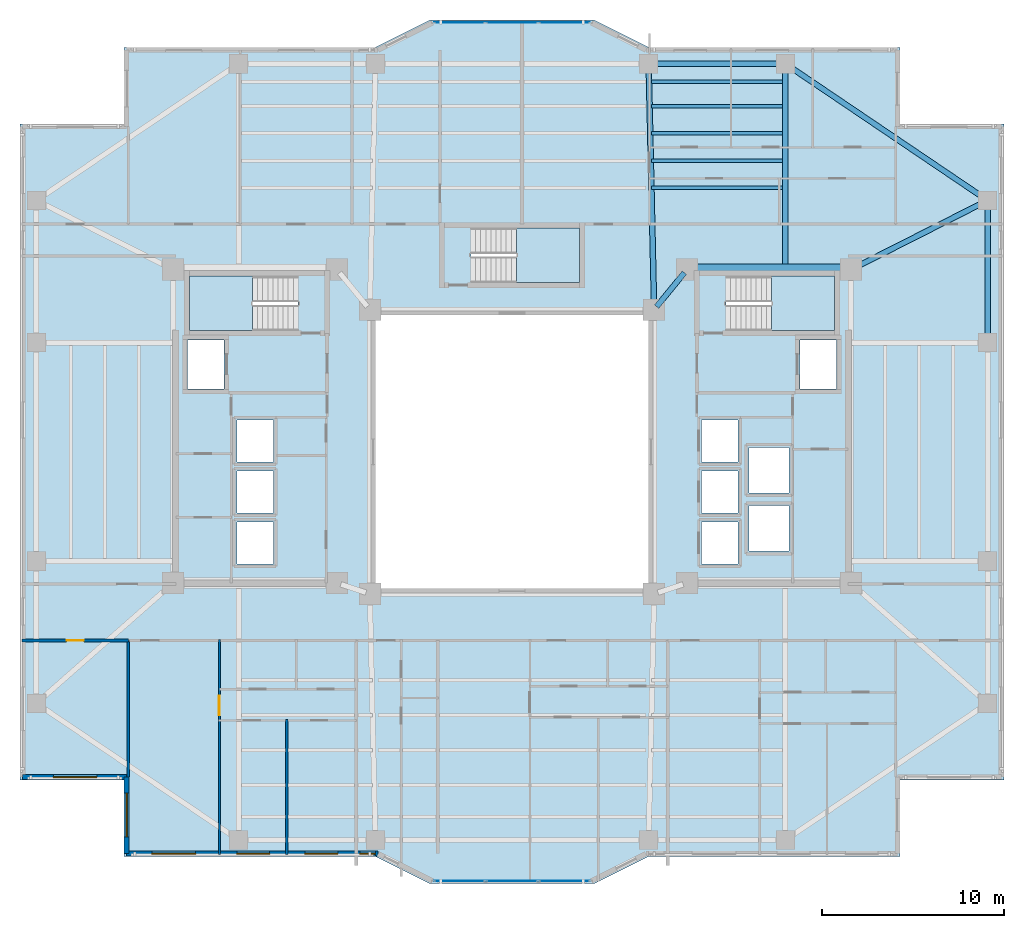
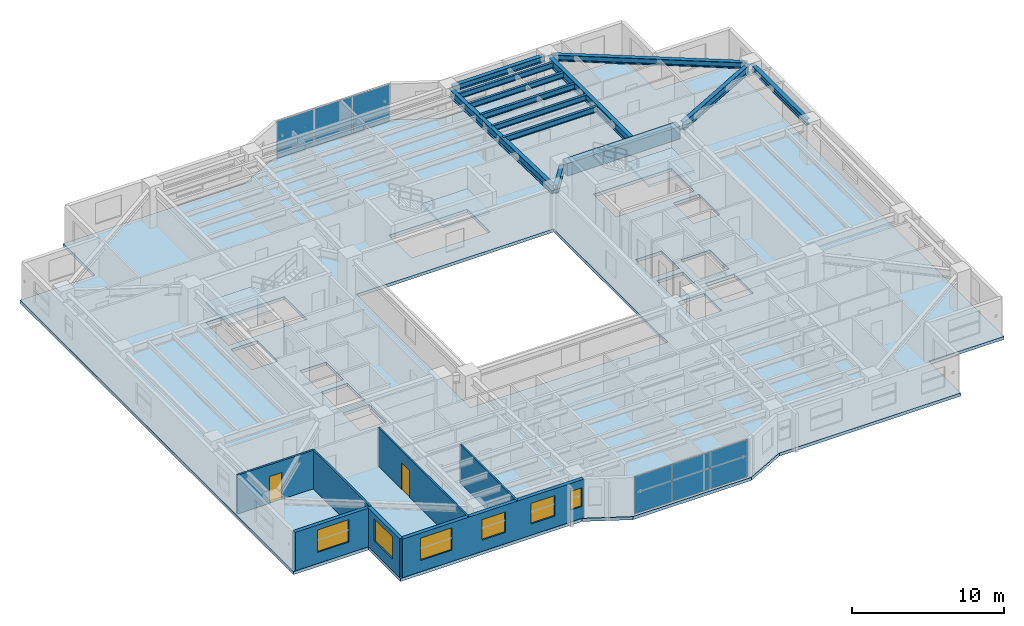
# One storey, part 5 of 18: 13 beams, 7 walls, 6 plates, 6 windows, 4 slabs, 2 doors, 8 openings, 5 elements without a shape of their own.
"""IFC4 building model written with IfcOpenShell, lengths in metres."""

from ifc_helpers import new_model, si_unit, direction, frame, frame_2d, origin, origin_2d, place, context, subcontext, project, spatial, polyline, rectangle, i_section, outline, extrude, material, layer, layer_set, material_profile, profile_set, type_object, element, fill, aggregate, save


model = new_model("IFC4")

# Units and contexts
model_context = context("Model", 3, precision=1e-05, world=origin(), true_north=direction((0.0, 1.0)))
body_context = subcontext(model_context, "Body", "Model", "MODEL_VIEW")
ifc_project = project(units=[si_unit("LENGTHUNIT", "METRE"), si_unit("AREAUNIT", "SQUARE_METRE"), si_unit("VOLUMEUNIT", "CUBIC_METRE"), si_unit("PLANEANGLEUNIT", "RADIAN"), si_unit("MASSUNIT", "GRAM", prefix="KILO")], contexts=[model_context])

# Site, building, storey
site_placement = place(None, origin())
site = spatial("IfcSite", under=ifc_project, at=site_placement, CompositionType="ELEMENT")
building_placement = place(site_placement, origin())
building = spatial("IfcBuilding", under=site, at=building_placement, Name="Tarnavaz Court Tower", CompositionType="ELEMENT")
storey_placement = place(building_placement, frame((0.0, 0.0, 88.35009765625)))
storey = spatial("IfcBuildingStorey", under=building, at=storey_placement, Name="L23", CompositionType="ELEMENT", Elevation=88.35009765625)

# Beams
ifc_material_1 = material(Name="Concrete C60/75", Category="concrete")
ifc_material_profile_1 = material_profile(ifc_material_1, rectangle(XDim=0.60009765625, YDim=1.0, at=origin_2d()), Name="RC 600X1000")
ifc_profile_set_1 = profile_set([ifc_material_profile_1], Name="Concrete C60/75")
beam_type_1 = type_object("IfcBeamType", Name="BM-CB1000", PredefinedType="LINTEL", material=ifc_profile_set_1)
beam_1_placement = place(storey_placement, frame((18.3798828125, 10.0, 2.599853515625), z_axis=(-1.0, 0.0, 0.0), x_axis=(0.0, -1.0, 0.0)))
element("IfcBeam", 1, at=beam_1_placement, inside=storey, type_object=beam_type_1, Name="L23 Beam IN-CE-NO-CE-NI", PredefinedType="LINTEL", context=body_context, shape_type="SweptSolid", body=[
    extrude(rectangle(XDim=0.60009765625, YDim=1.0, at=origin_2d()), origin(), (0.0, 0.0, 1.0), 8.559814453125),
])
ifc_material_2 = material(Name="Steel S355", Category="steel")
ifc_material_profile_2 = material_profile(ifc_material_2, i_section(OverallWidth=0.300048828125, OverallDepth=0.64990234375, WebThickness=0.01611328125, FlangeThickness=0.031005859375, FilletRadius=0.027099609375, at=origin_2d()), Name="HEB 650")
ifc_profile_set_2 = profile_set([ifc_material_profile_2], Name="Steel S355")
beam_type_2 = type_object("IfcBeamType", Name="BM-G-HEB650", PredefinedType="USERDEFINED", material=ifc_profile_set_2)
beam_2_placement = place(storey_placement, frame((9.460693359375, 9.82958984375, 2.77490234375), z_axis=(-0.633282058357, -0.773921077735, 0.0), x_axis=(0.773921077735, -0.633282058357, 0.0)))
element("IfcBeam", 2, at=beam_2_placement, inside=storey, type_object=beam_type_2, Name="L23 Beam IN-CE-NI-IW-NE", ObjectType="GIRDER", PredefinedType="USERDEFINED", context=body_context, shape_type="SweptSolid", body=[
    extrude(i_section(OverallWidth=0.300048828125, OverallDepth=0.64990234375, WebThickness=0.01611328125, FlangeThickness=0.031005859375, FilletRadius=0.027099609375, at=origin_2d()), origin(), (0.0, 0.0, 1.0), 2.402587890625),
])
beam_3_placement = place(storey_placement, frame((7.795166015625, 8.02001953125, 2.77490234375), z_axis=(-0.022221303469, 0.99975307635, 0.0), x_axis=(-0.99975307635, -0.022221303469, 0.0)))
element("IfcBeam", 3, at=beam_3_placement, inside=storey, type_object=beam_type_2, Name="L23 Beam RG-03", ObjectType="GIRDER", PredefinedType="USERDEFINED", context=body_context, shape_type="SweptSolid", body=[
    extrude(i_section(OverallWidth=0.300048828125, OverallDepth=0.64990234375, WebThickness=0.01611328125, FlangeThickness=0.031005859375, FilletRadius=0.027099609375, at=origin_2d()), origin(), (0.0, 0.0, 1.0), 13.063232421875),
])
beam_4_placement = place(storey_placement, frame((15.0, 10.0400390625, 2.77490234375), z_axis=(0.0, 1.0, 0.0), x_axis=(-1.0, 0.0, 0.0)))
element("IfcBeam", 4, at=beam_4_placement, inside=storey, type_object=beam_type_2, Name="L23 Beam RG-04", ObjectType="GIRDER", PredefinedType="USERDEFINED", context=body_context, shape_type="SweptSolid", body=[
    extrude(i_section(OverallWidth=0.300048828125, OverallDepth=0.64990234375, WebThickness=0.01611328125, FlangeThickness=0.031005859375, FilletRadius=0.027099609375, at=origin_2d()), origin(), (0.0, 0.0, 1.0), 11.0400390625),
])
beam_5_placement = place(storey_placement, frame((18.796142578125, 10.099365234375, 2.77490234375), z_axis=(0.892030669981, 0.451974870776, 0.0), x_axis=(-0.451974870776, 0.892030669981, 0.0)))
element("IfcBeam", 5, at=beam_5_placement, inside=storey, type_object=beam_type_2, Name="L23 Beam RG-12", ObjectType="GIRDER", PredefinedType="USERDEFINED", context=body_context, shape_type="SweptSolid", body=[
    extrude(i_section(OverallWidth=0.300048828125, OverallDepth=0.64990234375, WebThickness=0.01611328125, FlangeThickness=0.031005859375, FilletRadius=0.027099609375, at=origin_2d()), origin(), (0.0, 0.0, 1.0), 7.968017578125),
])
ifc_material_profile_3 = material_profile(ifc_material_2, i_section(OverallWidth=0.18994140625, OverallDepth=0.449951171875, WebThickness=0.009521484375, FlangeThickness=0.0146484375, FilletRadius=0.02099609375, at=origin_2d()), Name="IPE 450")
ifc_profile_set_3 = profile_set([ifc_material_profile_3], Name="Steel S355")
beam_type_3 = type_object("IfcBeamType", Name="BM-J-IPE450", PredefinedType="JOIST", material=ifc_profile_set_3)
for number, where, z_axis, x_axis, name in (
    (6, (7.64990234375, 14.493896484375, 2.875), (1.0, 0.0, 0.0), (0.0, 1.0, 0.0), "L23 Beam JN1-3"),
    (7, (7.64990234375, 15.988037109375, 2.875), (1.0, 0.0, 0.0), (0.0, 1.0, 0.0), "L23 Beam JN2-3"),
    (8, (7.64990234375, 17.48193359375, 2.875), (1.0, 0.0, 0.0), (0.0, 1.0, 0.0), "L23 Beam JN3-3"),
    (9, (7.64990234375, 18.97607421875, 2.875), (1.0, 0.0, 0.0), (0.0, 1.0, 0.0), "L23 Beam JN4-3"),
    (10, (7.64990234375, 20.303955078125, 2.875), (1.0, 0.0, 0.0), (0.0, 1.0, 0.0), "L23 Beam JN5-3"),
):
    element("IfcBeam", number, at=place(storey_placement, frame(where, z_axis=z_axis, x_axis=x_axis)), inside=storey, type_object=beam_type_3, Name=name, PredefinedType="JOIST", context=body_context, shape_type="SweptSolid", body=[
        extrude(i_section(OverallWidth=0.18994140625, OverallDepth=0.449951171875, WebThickness=0.009521484375, FlangeThickness=0.0146484375, FilletRadius=0.02099609375, at=origin_2d()), origin(), (0.0, 0.0, 1.0), 7.2001953125),
    ])
ifc_material_profile_4 = material_profile(ifc_material_2, i_section(OverallWidth=0.300048828125, OverallDepth=0.489990234375, WebThickness=0.011962890625, FlangeThickness=0.02294921875, FilletRadius=0.027099609375, at=origin_2d()), Name="HEA 500")
ifc_profile_set_4 = profile_set([ifc_material_profile_4], Name="Steel S355")
beam_type_4 = type_object("IfcBeamType", Name="BM-SP-HEA500", PredefinedType="SPANDREL", material=ifc_profile_set_4)
beam_6_placement = place(storey_placement, frame((7.719970703125, 21.300048828125, 2.85498046875), z_axis=(1.0, 0.0, 0.0), x_axis=(0.0, 1.0, 0.0)))
element("IfcBeam", 11, at=beam_6_placement, inside=storey, type_object=beam_type_4, Name="L23 Beam PR-PN-3-PN-4", PredefinedType="SPANDREL", context=body_context, shape_type="SweptSolid", body=[
    extrude(i_section(OverallWidth=0.300048828125, OverallDepth=0.489990234375, WebThickness=0.011962890625, FlangeThickness=0.02294921875, FilletRadius=0.027099609375, at=origin_2d()), origin(), (0.0, 0.0, 1.0), 7.06005859375),
])
beam_7_placement = place(storey_placement, frame((26.10009765625, 6.219970703125, 2.85498046875), z_axis=(0.0, 1.0, 0.0), x_axis=(-1.0, 0.0, 0.0)))
element("IfcBeam", 12, at=beam_7_placement, inside=storey, type_object=beam_type_4, Name="L23 Beam PR-PE-3-PE-4", PredefinedType="SPANDREL", context=body_context, shape_type="SweptSolid", body=[
    extrude(i_section(OverallWidth=0.300048828125, OverallDepth=0.489990234375, WebThickness=0.011962890625, FlangeThickness=0.02294921875, FilletRadius=0.027099609375, at=origin_2d()), origin(), (0.0, 0.0, 1.0), 7.360107421875),
])
beam_8_placement = place(storey_placement, frame((15.182373046875, 21.1767578125, 2.85498046875), z_axis=(0.828587314918, -0.559859858854, 0.0), x_axis=(0.559859858854, 0.828587314918, 0.0)))
element("IfcBeam", 13, at=beam_8_placement, inside=storey, type_object=beam_type_4, Name="L23 Beam PR-PN-4-PE-4", PredefinedType="SPANDREL", context=body_context, shape_type="SweptSolid", body=[
    extrude(i_section(OverallWidth=0.300048828125, OverallDepth=0.489990234375, WebThickness=0.011962890625, FlangeThickness=0.02294921875, FilletRadius=0.027099609375, at=origin_2d()), origin(), (0.0, 0.0, 1.0), 12.956298828125),
])

# Curtain wall, plates
ifc_material_3 = material(Name="Anodised Aluminium 6063-T6 and Solar Low-E Glazing", Category="aluminium")
ifc_layer_1 = layer(ifc_material_3, 0.179931640625)
ifc_layer_set_1 = layer_set([ifc_layer_1], Name="Anodised Aluminium 6063-T6 and Solar Low-E Glazing")
curtain_wall_type = type_object("IfcCurtainWallType", Name="CW-SYS-02", PredefinedType="NOTDEFINED", material=ifc_layer_set_1)
curtain_wall_1_placement = place(storey_placement, origin())
curtain_wall_1 = element("IfcCurtainWall", 14, at=curtain_wall_1_placement, inside=storey, type_object=curtain_wall_type, Name="L23 Iwan Prow Curtain Wall 7", PredefinedType="NOTDEFINED")
ifc_material_4 = material(Name="Double-Glazed Solar Low-E Glass", Category="glass")
ifc_layer_2 = layer(ifc_material_4, 0.028076171875)
ifc_layer_set_2 = layer_set([ifc_layer_2], Name="Double-Glazed Solar Low-E Glass")
plate_type = type_object("IfcPlateType", Name="CW-PAN-GLZ28", PredefinedType="CURTAIN_PANEL", material=ifc_layer_set_2)
plate_1_placement = place(storey_placement, frame((-2.88134765625, 23.550048828125, 0.06494140625), z_axis=(0.0, 0.0, 1.0), x_axis=(1.0, 0.0, 0.0)))
plate_1 = element("IfcPlate", 15, at=plate_1_placement, type_object=plate_type, Name="CW panel 1.1", PredefinedType="CURTAIN_PANEL", context=body_context, shape_type="SweptSolid", body=[
    extrude(rectangle(XDim=2.78759765625, YDim=0.028076171875, at=origin_2d()), origin(), (0.0, 0.0, 1.0), 2.969970703125),
])
plate_2_placement = place(storey_placement, frame((0.0, 23.550048828125, 0.06494140625), z_axis=(0.0, 0.0, 1.0), x_axis=(1.0, 0.0, 0.0)))
plate_2 = element("IfcPlate", 16, at=plate_2_placement, type_object=plate_type, Name="CW panel 2.1", PredefinedType="CURTAIN_PANEL", context=body_context, shape_type="SweptSolid", body=[
    extrude(rectangle(XDim=2.824951171875, YDim=0.028076171875, at=origin_2d()), origin(), (0.0, 0.0, 1.0), 2.969970703125),
])
plate_3_placement = place(storey_placement, frame((2.88134765625, 23.550048828125, 0.06494140625), z_axis=(0.0, 0.0, 1.0), x_axis=(1.0, 0.0, 0.0)))
plate_3 = element("IfcPlate", 17, at=plate_3_placement, type_object=plate_type, Name="CW panel 3.1", PredefinedType="CURTAIN_PANEL", context=body_context, shape_type="SweptSolid", body=[
    extrude(rectangle(XDim=2.78759765625, YDim=0.028076171875, at=origin_2d()), origin(), (0.0, 0.0, 1.0), 2.969970703125),
])
aggregate(curtain_wall_1, [plate_1, plate_2, plate_3])

curtain_wall_2_placement = place(storey_placement, origin())
curtain_wall_2 = element("IfcCurtainWall", 18, at=curtain_wall_2_placement, inside=storey, type_object=curtain_wall_type, Name="L23 Iwan Prow Curtain Wall 17", PredefinedType="NOTDEFINED")
plate_4_placement = place(storey_placement, frame((2.88134765625, -23.550048828125, 0.06494140625), z_axis=(0.0, 0.0, 1.0), x_axis=(-1.0, 0.0, 0.0)))
plate_4 = element("IfcPlate", 19, at=plate_4_placement, type_object=plate_type, Name="CW panel 1.1", PredefinedType="CURTAIN_PANEL", context=body_context, shape_type="SweptSolid", body=[
    extrude(rectangle(XDim=2.78759765625, YDim=0.028076171875, at=origin_2d()), origin(), (0.0, 0.0, 1.0), 2.969970703125),
])
plate_5_placement = place(storey_placement, frame((0.0, -23.550048828125, 0.06494140625), z_axis=(0.0, 0.0, 1.0), x_axis=(-1.0, 0.0, 0.0)))
plate_5 = element("IfcPlate", 20, at=plate_5_placement, type_object=plate_type, Name="CW panel 2.1", PredefinedType="CURTAIN_PANEL", context=body_context, shape_type="SweptSolid", body=[
    extrude(rectangle(XDim=2.824951171875, YDim=0.028076171875, at=origin_2d()), origin(), (0.0, 0.0, 1.0), 2.969970703125),
])
plate_6_placement = place(storey_placement, frame((-2.88134765625, -23.550048828125, 0.06494140625), z_axis=(0.0, 0.0, 1.0), x_axis=(-1.0, 0.0, 0.0)))
plate_6 = element("IfcPlate", 21, at=plate_6_placement, type_object=plate_type, Name="CW panel 3.1", PredefinedType="CURTAIN_PANEL", context=body_context, shape_type="SweptSolid", body=[
    extrude(rectangle(XDim=2.78759765625, YDim=0.028076171875, at=origin_2d()), origin(), (0.0, 0.0, 1.0), 2.969970703125),
])
aggregate(curtain_wall_2, [plate_4, plate_5, plate_6])

# Stair, slab
ifc_material_5 = material(Name="Concrete C40/50", Category="concrete")
stair_type = type_object("IfcStairType", Name="ST-TWR-20R", PredefinedType="HALF_TURN_STAIR", material=ifc_material_5)
stair_1_placement = place(storey_placement, origin())
stair_1 = element("IfcStair", 22, at=stair_1_placement, inside=storey, type_object=stair_type, Name="L23 West Core Pressurized Exit Stair ST-W1", PredefinedType="HALF_TURN_STAIR")
ifc_layer_3 = layer(ifc_material_5, 0.199951171875)
ifc_layer_set_3 = layer_set([ifc_layer_3], Name="Concrete C40/50")
slab_type_1 = type_object("IfcSlabType", Name="SL-LAND-200", PredefinedType="LANDING", material=ifc_layer_set_3)
slab_1_placement = place(storey_placement, frame((0.0, 0.0, 1.474853515625)))
slab_1 = element("IfcSlab", 23, at=slab_1_placement, type_object=slab_type_1, Name="ST-W1 landing 1", PredefinedType="LANDING", context=body_context, shape_type="SweptSolid", body=[
    extrude(outline(polyline([(-14.239990234375, 9.639892578125), (-17.699951171875, 9.639892578125), (-17.699951171875, 6.64990234375), (-14.239990234375, 6.64990234375), (-14.239990234375, 9.639892578125)])), origin(), (0.0, 0.0, 1.0), 0.199951171875),
])
aggregate(stair_1, [slab_1])

stair_2_placement = place(storey_placement, origin())
stair_2 = element("IfcStair", 24, at=stair_2_placement, inside=storey, type_object=stair_type, Name="L23 East Core Pressurized Exit Stair ST-E1", PredefinedType="HALF_TURN_STAIR")
slab_2_placement = place(storey_placement, frame((0.0, 0.0, 1.474853515625)))
slab_2 = element("IfcSlab", 25, at=slab_2_placement, type_object=slab_type_1, Name="ST-E1 landing 1", PredefinedType="LANDING", context=body_context, shape_type="SweptSolid", body=[
    extrude(outline(polyline([(14.239990234375, 6.64990234375), (17.699951171875, 6.64990234375), (17.699951171875, 9.639892578125), (14.239990234375, 9.639892578125), (14.239990234375, 6.64990234375)])), origin(), (0.0, 0.0, 1.0), 0.199951171875),
])
aggregate(stair_2, [slab_2])

stair_3_placement = place(storey_placement, origin())
stair_3 = element("IfcStair", 26, at=stair_3_placement, inside=storey, type_object=stair_type, Name="L23 North Ring Pressurized Exit Stair ST-N1", PredefinedType="HALF_TURN_STAIR")
slab_3_placement = place(storey_placement, frame((0.0, 0.0, 1.474853515625)))
slab_3 = element("IfcSlab", 27, at=slab_3_placement, type_object=slab_type_1, Name="ST-N1 landing 1", PredefinedType="LANDING", context=body_context, shape_type="SweptSolid", body=[
    extrude(outline(polyline([(0.239990234375, 9.300048828125), (3.699951171875, 9.300048828125), (3.699951171875, 12.2900390625), (0.239990234375, 12.2900390625), (0.239990234375, 9.300048828125)])), origin(), (0.0, 0.0, 1.0), 0.199951171875),
])
aggregate(stair_3, [slab_3])

# Slab
ifc_layer_4 = layer(ifc_material_5, 0.25)
ifc_layer_set_4 = layer_set([ifc_layer_4], Name="Concrete C40/50")
slab_type_2 = type_object("IfcSlabType", Name="SL-RES-250", PredefinedType="FLOOR", material=ifc_layer_set_4)
slab_4_placement = place(storey_placement, frame((0.0, 0.0, -0.25)))
element("IfcSlab", 28, at=slab_4_placement, inside=storey, type_object=slab_type_2, Name="L23 Structural Floor Slab", PredefinedType="FLOOR", context=body_context, shape_type="SweptSolid", body=[
    extrude(outline(polyline([(-21.300048828125, -22.199951171875), (-7.5, -22.199951171875), (-4.5, -23.699951171875), (4.5, -23.699951171875), (7.5, -22.199951171875), (21.300048828125, -22.199951171875), (21.300048828125, -18.0), (27.0, -18.0), (27.0, 18.0), (21.300048828125, 18.0), (21.300048828125, 22.199951171875), (7.5, 22.199951171875), (4.5, 23.699951171875), (-4.5, 23.699951171875), (-7.5, 22.199951171875), (-21.300048828125, 22.199951171875), (-21.300048828125, 18.0), (-27.0, 18.0), (-27.0, -18.0), (-21.300048828125, -18.0), (-21.300048828125, -22.199951171875)]), holes=[polyline([(-7.5, -7.5), (7.5, -7.5), (7.5, 7.5), (-7.5, 7.5), (-7.5, -7.5)]), polyline([(-11.7451171875, 9.639892578125), (-17.699951171875, 9.639892578125), (-17.699951171875, 6.64990234375), (-11.7451171875, 6.64990234375), (-11.7451171875, 9.639892578125)]), polyline([(11.7451171875, 6.64990234375), (17.699951171875, 6.64990234375), (17.699951171875, 9.639892578125), (11.7451171875, 9.639892578125), (11.7451171875, 6.64990234375)]), polyline([(-2.2548828125, 9.300048828125), (3.699951171875, 9.300048828125), (3.699951171875, 12.2900390625), (-2.2548828125, 12.2900390625), (-2.2548828125, 9.300048828125)]), polyline([(-17.800048828125, 3.449951171875), (-15.800048828125, 3.449951171875), (-15.800048828125, 6.14990234375), (-17.800048828125, 6.14990234375), (-17.800048828125, 3.449951171875)]), polyline([(-15.10009765625, -6.14990234375), (-13.10009765625, -6.14990234375), (-13.10009765625, -3.85009765625), (-15.10009765625, -3.85009765625), (-15.10009765625, -6.14990234375)]), polyline([(-15.10009765625, -3.35009765625), (-13.10009765625, -3.35009765625), (-13.10009765625, -1.050048828125), (-15.10009765625, -1.050048828125), (-15.10009765625, -3.35009765625)]), polyline([(-15.10009765625, -0.550048828125), (-13.10009765625, -0.550048828125), (-13.10009765625, 1.75), (-15.10009765625, 1.75), (-15.10009765625, -0.550048828125)]), polyline([(15.800048828125, 3.449951171875), (17.800048828125, 3.449951171875), (17.800048828125, 6.14990234375), (15.800048828125, 6.14990234375), (15.800048828125, 3.449951171875)]), polyline([(10.39990234375, -6.14990234375), (12.39990234375, -6.14990234375), (12.39990234375, -3.85009765625), (10.39990234375, -3.85009765625), (10.39990234375, -6.14990234375)]), polyline([(10.39990234375, -3.35009765625), (12.39990234375, -3.35009765625), (12.39990234375, -1.050048828125), (10.39990234375, -1.050048828125), (10.39990234375, -3.35009765625)]), polyline([(10.39990234375, -0.550048828125), (12.39990234375, -0.550048828125), (12.39990234375, 1.75), (10.39990234375, 1.75), (10.39990234375, -0.550048828125)]), polyline([(13.0, -5.449951171875), (15.199951171875, -5.449951171875), (15.199951171875, -2.949951171875), (13.0, -2.949951171875), (13.0, -5.449951171875)]), polyline([(13.0, -2.25), (15.199951171875, -2.25), (15.199951171875, 0.25), (13.0, 0.25), (13.0, -2.25)])]), origin(), (0.0, 0.0, 1.0), 0.25),
])

# Wall, opening, window
ifc_material_6 = material(Name="Precast Concrete C40/50", Category="concrete")
ifc_layer_5 = layer(ifc_material_6, 0.280029296875)
ifc_layer_set_5 = layer_set([ifc_layer_5], Name="Precast Concrete C40/50")
wall_type_1 = type_object("IfcWallType", Name="WL-EXT-280", PredefinedType="SOLIDWALL", material=ifc_layer_set_5)
wall_1_placement = place(storey_placement, frame((-21.14990234375, -17.85009765625, 0.0), z_axis=(0.0, 0.0, 1.0), x_axis=(-1.0, 0.0, 0.0)))
wall_1 = element("IfcWall", 29, at=wall_1_placement, inside=storey, type_object=wall_type_1, Name="L23 Exterior Terracotta Facade Wall 01", PredefinedType="SOLIDWALL", context=body_context, shape_type="SweptSolid", body=[
    extrude(rectangle(XDim=5.7001953125, YDim=0.280029296875, at=frame_2d((2.85009765625, 0.0))), origin(), (0.0, 0.0, 1.0), 3.099853515625),
])
opening_1_placement = place(wall_1_placement, frame((1.625, 0.0, 0.89990234375)))
opening_1 = element("IfcOpeningElement", 30, at=opening_1_placement, cuts=wall_1, Name="Opening W06", PredefinedType="OPENING", context=body_context, shape_type="SweptSolid", body=[
    extrude(rectangle(XDim=2.39990234375, YDim=1.800048828125, at=frame_2d((1.199951171875, 0.89990234375))), frame((0.0, 0.14990234375, 0.0), z_axis=(0.0, -1.0, 0.0), x_axis=(1.0, 0.0, 0.0)), (0.0, 0.0, 1.0), 0.300048828125),
])
window_type_1 = type_object("IfcWindowType", Name="WN-APT-2400", PartitioningType="TRIPLE_PANEL_VERTICAL", PredefinedType="WINDOW", material=ifc_material_4)
window_1_placement = place(opening_1_placement, origin())
window_1 = element("IfcWindow", 31, at=window_1_placement, inside=storey, type_object=window_type_1, Name="L23 South-West Corner Reading Room Window", OverallHeight=1.800048828125, OverallWidth=2.39990234375, PartitioningType="SINGLE_PANEL", PredefinedType="WINDOW", context=body_context, shape_type="SweptSolid", body=[
    extrude(rectangle(XDim=2.39990234375, YDim=1.800048828125, at=frame_2d((1.199951171875, 0.89990234375))), frame((0.0, 0.030029296875, 0.0), z_axis=(0.0, -1.0, 0.0), x_axis=(1.0, 0.0, 0.0)), (0.0, 0.0, 1.0), 0.06005859375),
])
fill(opening_1, window_1)

# Wall, openings, windows
wall_2_placement = place(storey_placement, frame((-7.35009765625, -22.050048828125, 0.0), z_axis=(0.0, 0.0, 1.0), x_axis=(-1.0, 0.0, 0.0)))
wall_2 = element("IfcWall", 32, at=wall_2_placement, inside=storey, type_object=wall_type_1, Name="L23 Exterior Terracotta Facade Wall 19", PredefinedType="SOLIDWALL", context=body_context, shape_type="SweptSolid", body=[
    extrude(rectangle(XDim=13.7998046875, YDim=0.280029296875, at=frame_2d((6.89990234375, 0.0))), origin(), (0.0, 0.0, 1.0), 3.099853515625),
])
opening_2_placement = place(wall_2_placement, frame((0.14697265625, 0.0, 0.949951171875)))
opening_2 = element("IfcOpeningElement", 33, at=opening_2_placement, cuts=wall_2, Name="Opening W15", PredefinedType="OPENING", context=body_context, shape_type="SweptSolid", body=[
    extrude(rectangle(XDim=0.85009765625, YDim=1.5, at=frame_2d((0.425048828125, 0.75))), frame((0.0, 0.14990234375, 0.0), z_axis=(0.0, -1.0, 0.0), x_axis=(1.0, 0.0, 0.0)), (0.0, 0.0, 1.0), 0.300048828125),
])
opening_3_placement = place(wall_2_placement, frame((2.211181640625, 0.0, 0.89990234375)))
opening_3 = element("IfcOpeningElement", 34, at=opening_3_placement, cuts=wall_2, Name="Opening W01", PredefinedType="OPENING", context=body_context, shape_type="SweptSolid", body=[
    extrude(rectangle(XDim=1.800048828125, YDim=1.64990234375, at=frame_2d((0.89990234375, 0.824951171875))), frame((0.0, 0.14990234375, 0.0), z_axis=(0.0, -1.0, 0.0), x_axis=(1.0, 0.0, 0.0)), (0.0, 0.0, 1.0), 0.300048828125),
])
opening_4_placement = place(wall_2_placement, frame((5.94970703125, 0.0, 0.89990234375)))
opening_4 = element("IfcOpeningElement", 35, at=opening_4_placement, cuts=wall_2, Name="Opening W01", PredefinedType="OPENING", context=body_context, shape_type="SweptSolid", body=[
    extrude(rectangle(XDim=1.800048828125, YDim=1.64990234375, at=frame_2d((0.89990234375, 0.824951171875))), frame((0.0, 0.14990234375, 0.0), z_axis=(0.0, -1.0, 0.0), x_axis=(1.0, 0.0, 0.0)), (0.0, 0.0, 1.0), 0.300048828125),
])
opening_5_placement = place(wall_2_placement, frame((10.015625, 0.0, 0.89990234375)))
opening_5 = element("IfcOpeningElement", 36, at=opening_5_placement, cuts=wall_2, Name="Opening W06", PredefinedType="OPENING", context=body_context, shape_type="SweptSolid", body=[
    extrude(rectangle(XDim=2.39990234375, YDim=1.800048828125, at=frame_2d((1.199951171875, 0.89990234375))), frame((0.0, 0.14990234375, 0.0), z_axis=(0.0, -1.0, 0.0), x_axis=(1.0, 0.0, 0.0)), (0.0, 0.0, 1.0), 0.300048828125),
])
window_type_2 = type_object("IfcWindowType", Name="WN-APT-1800", PartitioningType="DOUBLE_PANEL_VERTICAL", PredefinedType="WINDOW", material=ifc_material_4)
window_2_placement = place(opening_3_placement, origin())
window_2 = element("IfcWindow", 37, at=window_2_placement, inside=storey, type_object=window_type_2, Name="L23 Flat 02 Bedroom 2 Window", OverallHeight=1.64990234375, OverallWidth=1.800048828125, PartitioningType="SINGLE_PANEL", PredefinedType="WINDOW", context=body_context, shape_type="SweptSolid", body=[
    extrude(rectangle(XDim=1.800048828125, YDim=1.64990234375, at=frame_2d((0.89990234375, 0.824951171875))), frame((0.0, 0.030029296875, 0.0), z_axis=(0.0, -1.0, 0.0), x_axis=(1.0, 0.0, 0.0)), (0.0, 0.0, 1.0), 0.06005859375),
])
fill(opening_3, window_2)
window_3_placement = place(opening_4_placement, origin())
window_3 = element("IfcWindow", 38, at=window_3_placement, inside=storey, type_object=window_type_2, Name="L23 Flat 02 Principal Bedroom Window", OverallHeight=1.64990234375, OverallWidth=1.800048828125, PartitioningType="SINGLE_PANEL", PredefinedType="WINDOW", context=body_context, shape_type="SweptSolid", body=[
    extrude(rectangle(XDim=1.800048828125, YDim=1.64990234375, at=frame_2d((0.89990234375, 0.824951171875))), frame((0.0, 0.030029296875, 0.0), z_axis=(0.0, -1.0, 0.0), x_axis=(1.0, 0.0, 0.0)), (0.0, 0.0, 1.0), 0.06005859375),
])
fill(opening_4, window_3)
window_4_placement = place(opening_5_placement, origin())
window_4 = element("IfcWindow", 39, at=window_4_placement, inside=storey, type_object=window_type_1, Name="L23 Flat 02 Living and Dining Room Window", OverallHeight=1.800048828125, OverallWidth=2.39990234375, PartitioningType="SINGLE_PANEL", PredefinedType="WINDOW", context=body_context, shape_type="SweptSolid", body=[
    extrude(rectangle(XDim=2.39990234375, YDim=1.800048828125, at=frame_2d((1.199951171875, 0.89990234375))), frame((0.0, 0.030029296875, 0.0), z_axis=(0.0, -1.0, 0.0), x_axis=(1.0, 0.0, 0.0)), (0.0, 0.0, 1.0), 0.06005859375),
])
fill(opening_5, window_4)
window_type_3 = type_object("IfcWindowType", Name="WN-APT-850", PartitioningType="SINGLE_PANEL", PredefinedType="WINDOW", material=ifc_material_4)
window_5_placement = place(opening_2_placement, origin())
window_5 = element("IfcWindow", 40, at=window_5_placement, inside=storey, type_object=window_type_3, Name="L23 Flat 04 Studio Living and Sleeping Room Window", OverallHeight=1.5, OverallWidth=0.85009765625, PartitioningType="SINGLE_PANEL", PredefinedType="WINDOW", context=body_context, shape_type="SweptSolid", body=[
    extrude(rectangle(XDim=0.85009765625, YDim=1.5, at=frame_2d((0.425048828125, 0.75))), frame((0.0, 0.030029296875, 0.0), z_axis=(0.0, -1.0, 0.0), x_axis=(1.0, 0.0, 0.0)), (0.0, 0.0, 1.0), 0.06005859375),
])
fill(opening_2, window_5)

# Wall, opening, window
wall_3_placement = place(storey_placement, frame((-21.14990234375, -22.050048828125, 0.0), z_axis=(0.0, 0.0, 1.0), x_axis=(0.0, 1.0, 0.0)))
wall_3 = element("IfcWall", 41, at=wall_3_placement, inside=storey, type_object=wall_type_1, Name="L23 Exterior Terracotta Facade Wall 20", PredefinedType="SOLIDWALL", context=body_context, shape_type="SweptSolid", body=[
    extrude(rectangle(XDim=4.199951171875, YDim=0.280029296875, at=frame_2d((2.10009765625, 0.0))), origin(), (0.0, 0.0, 1.0), 3.099853515625),
])
opening_6_placement = place(wall_3_placement, frame((0.917724609375, 0.0, 0.89990234375)))
opening_6 = element("IfcOpeningElement", 42, at=opening_6_placement, cuts=wall_3, Name="Opening W06", PredefinedType="OPENING", context=body_context, shape_type="SweptSolid", body=[
    extrude(rectangle(XDim=2.39990234375, YDim=1.800048828125, at=frame_2d((1.199951171875, 0.89990234375))), frame((0.0, 0.14990234375, 0.0), z_axis=(0.0, -1.0, 0.0), x_axis=(1.0, 0.0, 0.0)), (0.0, 0.0, 1.0), 0.300048828125),
])
window_6_placement = place(opening_6_placement, origin())
window_6 = element("IfcWindow", 43, at=window_6_placement, inside=storey, type_object=window_type_1, Name="L23 Flat 02 Living and Dining Room Window", OverallHeight=1.800048828125, OverallWidth=2.39990234375, PartitioningType="SINGLE_PANEL", PredefinedType="WINDOW", context=body_context, shape_type="SweptSolid", body=[
    extrude(rectangle(XDim=2.39990234375, YDim=1.800048828125, at=frame_2d((1.199951171875, 0.89990234375))), frame((0.0, 0.030029296875, 0.0), z_axis=(0.0, -1.0, 0.0), x_axis=(1.0, 0.0, 0.0)), (0.0, 0.0, 1.0), 0.06005859375),
])
fill(opening_6, window_6)

# Wall, opening, door
ifc_material_7 = material(Name="Gypsum Fire-Board on Acoustic Metal Stud", Category="masonry")
ifc_layer_6 = layer(ifc_material_7, 0.14990234375)
ifc_layer_set_6 = layer_set([ifc_layer_6], Name="Gypsum Fire-Board on Acoustic Metal Stud")
wall_type_2 = type_object("IfcWallType", Name="WL-FIRE-150", PredefinedType="PARTITIONING", material=ifc_layer_set_6)
wall_4_placement = place(storey_placement, frame((-26.8798828125, -10.35009765625, 0.0), z_axis=(0.0, 0.0, 1.0), x_axis=(1.0, 0.0, 0.0)))
wall_4 = element("IfcWall", 44, at=wall_4_placement, inside=storey, type_object=wall_type_2, Name="L23 Interior Partition 122", PredefinedType="PARTITIONING", context=body_context, shape_type="SweptSolid", body=[
    extrude(rectangle(XDim=5.829833984375, YDim=0.14990234375, at=frame_2d((2.9150390625, 0.0))), origin(), (0.0, 0.0, 1.0), 3.099853515625),
])
opening_7_placement = place(wall_4_placement, frame((2.43994140625, 0.0, 0.0)))
opening_7 = element("IfcOpeningElement", 45, at=opening_7_placement, cuts=wall_4, Name="Opening D13", PredefinedType="OPENING", context=body_context, shape_type="SweptSolid", body=[
    extrude(rectangle(XDim=0.949951171875, YDim=2.14990234375, at=frame_2d((0.47509765625, 1.074951171875))), frame((0.0, 0.0849609375, 0.0), z_axis=(0.0, -1.0, 0.0), x_axis=(1.0, 0.0, 0.0)), (0.0, 0.0, 1.0), 0.169921875),
])
ifc_material_8 = material(Name="Engineered Oak Timber", Category="wood")
door_type_1 = type_object("IfcDoorType", Name="DR-INT-950", OperationType="NOTDEFINED", PredefinedType="DOOR", material=ifc_material_8)
door_1_placement = place(opening_7_placement, origin())
door_1 = element("IfcDoor", 46, at=door_1_placement, inside=storey, type_object=door_type_1, Name="L23 SW Reading Room Door", OperationType="SINGLE_SWING_RIGHT", OverallHeight=2.14990234375, OverallWidth=0.949951171875, PredefinedType="DOOR", context=body_context, shape_type="SweptSolid", body=[
    extrude(rectangle(XDim=0.949951171875, YDim=2.14990234375, at=frame_2d((0.47509765625, 1.074951171875))), frame((0.0, 0.02490234375, 0.0), z_axis=(0.0, -1.0, 0.0), x_axis=(1.0, 0.0, 0.0)), (0.0, 0.0, 1.0), 0.050048828125),
])
fill(opening_7, door_1)

ifc_material_9 = material(Name="Moisture-Resistant Gypsum Board Partition", Category="masonry")
ifc_layer_7 = layer(ifc_material_9, 0.1201171875)
ifc_layer_set_7 = layer_set([ifc_layer_7], Name="Moisture-Resistant Gypsum Board Partition")
wall_type_3 = type_object("IfcWallType", Name="WL-PART-120", PredefinedType="PARTITIONING", material=ifc_layer_set_7)
wall_5_placement = place(storey_placement, frame((-16.05810546875, -22.10009765625, 0.0), z_axis=(0.0, 0.0, 1.0), x_axis=(0.0, 1.0, 0.0)))
wall_5 = element("IfcWall", 47, at=wall_5_placement, inside=storey, type_object=wall_type_3, Name="L23 Interior Partition 087", PredefinedType="PARTITIONING", context=body_context, shape_type="SweptSolid", body=[
    extrude(rectangle(XDim=11.81005859375, YDim=0.1201171875, at=frame_2d((5.905029296875, 0.0))), origin(), (0.0, 0.0, 1.0), 3.099853515625),
])
opening_8_placement = place(wall_5_placement, frame((7.64501953125, 0.0, 0.0)))
opening_8 = element("IfcOpeningElement", 48, at=opening_8_placement, cuts=wall_5, Name="Opening D12", PredefinedType="OPENING", context=body_context, shape_type="SweptSolid", body=[
    extrude(rectangle(XDim=1.080078125, YDim=2.14990234375, at=frame_2d((0.5400390625, 1.074951171875))), frame((0.0, 0.070068359375, 0.0), z_axis=(0.0, -1.0, 0.0), x_axis=(1.0, 0.0, 0.0)), (0.0, 0.0, 1.0), 0.14013671875),
])
door_type_2 = type_object("IfcDoorType", Name="DR-INT-1100", OperationType="NOTDEFINED", PredefinedType="DOOR", material=ifc_material_8)
door_2_placement = place(opening_8_placement, origin())
door_2 = element("IfcDoor", 49, at=door_2_placement, inside=storey, type_object=door_type_2, Name="L23 Flat 02 Foyer Door", OperationType="SINGLE_SWING_RIGHT", OverallHeight=2.14990234375, OverallWidth=1.080078125, PredefinedType="DOOR", context=body_context, shape_type="SweptSolid", body=[
    extrude(rectangle(XDim=1.080078125, YDim=2.14990234375, at=frame_2d((0.5400390625, 1.074951171875))), frame((0.0, 0.02490234375, 0.0), z_axis=(0.0, -1.0, 0.0), x_axis=(1.0, 0.0, 0.0)), (0.0, 0.0, 1.0), 0.050048828125),
])
fill(opening_8, door_2)

# Walls
wall_6_placement = place(storey_placement, frame((-12.35888671875, -22.10009765625, 0.0), z_axis=(0.0, 0.0, 1.0), x_axis=(0.0, 1.0, 0.0)))
element("IfcWall", 50, at=wall_6_placement, inside=storey, type_object=wall_type_3, Name="L23 Interior Partition 092", PredefinedType="PARTITIONING", context=body_context, shape_type="SweptSolid", body=[
    extrude(rectangle(XDim=7.420166015625, YDim=0.1201171875, at=frame_2d((3.7099609375, 0.0))), origin(), (0.0, 0.0, 1.0), 3.099853515625),
])
ifc_material_10 = material(Name="Gypsum Plasterboard Acoustic Partition", Category="masonry")
ifc_layer_8 = layer(ifc_material_10, 0.139892578125)
ifc_layer_set_8 = layer_set([ifc_layer_8], Name="Gypsum Plasterboard Acoustic Partition")
wall_type_4 = type_object("IfcWallType", Name="WL-PART-150", PredefinedType="PARTITIONING", material=ifc_layer_set_8)
wall_7_placement = place(storey_placement, frame((-21.050048828125, -17.85009765625, 0.0), z_axis=(0.0, 0.0, 1.0), x_axis=(0.0, 1.0, 0.0)))
element("IfcWall", 51, at=wall_7_placement, inside=storey, type_object=wall_type_4, Name="L23 Interior Partition 116", PredefinedType="PARTITIONING", context=body_context, shape_type="SweptSolid", body=[
    extrude(rectangle(XDim=7.5, YDim=0.139892578125, at=frame_2d((3.75, 0.0))), origin(), (0.0, 0.0, 1.0), 3.099853515625),
])

save(model, "model.ifc")
